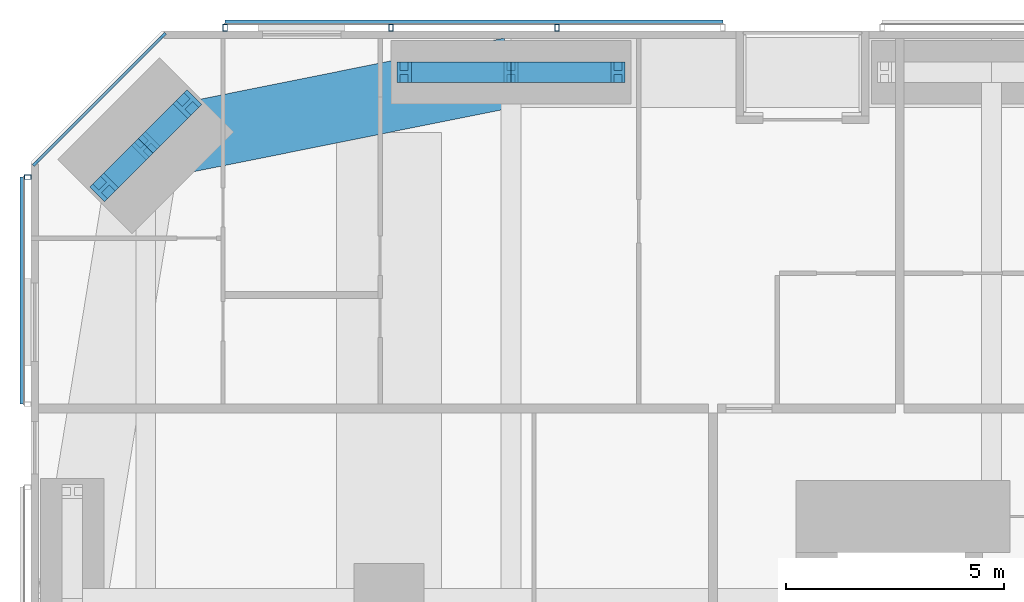
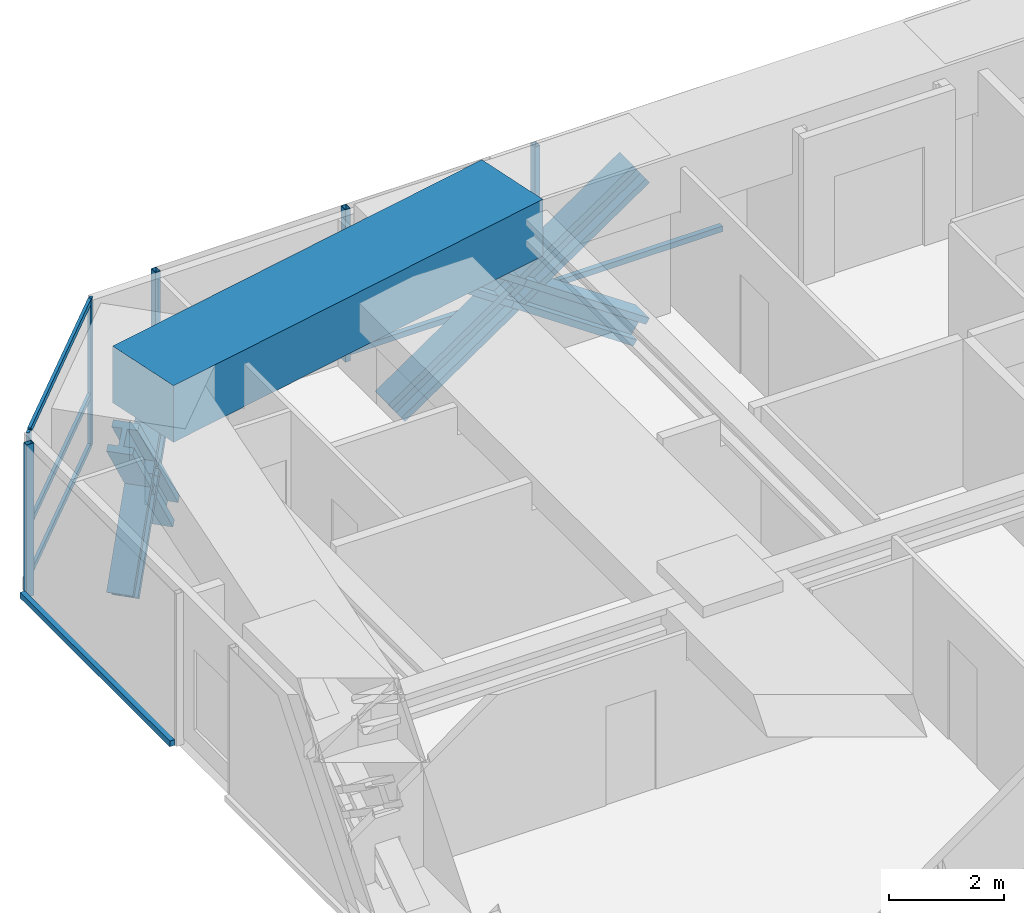
# One storey, part 12 of 24: 19 members, 1 beam, 3 elements without a shape of their own.
"""IFC4 building model written with IfcOpenShell, lengths in metres."""

from ifc_helpers import new_model, si_unit, direction, frame, origin, origin_2d, place, context, subcontext, project, spatial, rectangle, hollow_rectangle, i_section, extrude, material, material_profile, profile_set, type_object, element, aggregate, save


model = new_model("IFC4")

# Units and contexts
model_context = context("Model", 3, precision=1e-05, world=origin(), true_north=direction((0.0, 1.0)))
body_context = subcontext(model_context, "Body", "Model", "MODEL_VIEW")
ifc_project = project(units=[si_unit("LENGTHUNIT", "METRE"), si_unit("AREAUNIT", "SQUARE_METRE"), si_unit("VOLUMEUNIT", "CUBIC_METRE"), si_unit("PLANEANGLEUNIT", "RADIAN"), si_unit("MASSUNIT", "GRAM", prefix="KILO")], contexts=[model_context])

# Site, building, storey
site_placement = place(None, origin())
site = spatial("IfcSite", under=ifc_project, at=site_placement, CompositionType="ELEMENT")
building_placement = place(site_placement, origin())
building = spatial("IfcBuilding", under=site, at=building_placement, Name="Jalousie Tower", CompositionType="ELEMENT")
storey_placement = place(building_placement, frame((0.0, 0.0, 51.14990234375)))
storey = spatial("IfcBuildingStorey", under=building, at=storey_placement, Name="L13", CompositionType="ELEMENT", Elevation=51.14990234375)

# Curtain wall, members
ifc_material_1 = material(Name="Aluminium curtain wall", Category="aluminium")
curtain_wall_type_1 = type_object("IfcCurtainWallType", Name="CORNER WINDOW WALL", PredefinedType="USERDEFINED", material=ifc_material_1)
curtain_wall_1_placement = place(storey_placement, origin())
curtain_wall_1 = element("IfcCurtainWall", 1, at=curtain_wall_1_placement, inside=storey, type_object=curtain_wall_type_1, Name="Corner Window Wall L13 6", ObjectType="CORNER WINDOW WALL", PredefinedType="USERDEFINED")
ifc_material_2 = material(Name="Aluminium mullion", Category="aluminium")
ifc_material_profile_1 = material_profile(ifc_material_2, rectangle(XDim=0.06005859375, YDim=0.14990234375, at=origin_2d()), Name="MULLION 60x150")
ifc_profile_set_1 = profile_set([ifc_material_profile_1], Name="Aluminium mullion")
member_type_1 = type_object("IfcMemberType", Name="CORNER WINDOW WALL MULLION", PredefinedType="MULLION", material=ifc_profile_set_1)
member_1_placement = place(storey_placement, frame((5.030029296875, 37.891357421875, 0.0), z_axis=(0.0, 0.0, 1.0), x_axis=(0.707106781187, -0.707106781187, 0.0)))
member_1 = element("IfcMember", 2, at=member_1_placement, type_object=member_type_1, Name="CW-C mullion 1", PredefinedType="MULLION", context=body_context, shape_type="SweptSolid", body=[
    extrude(rectangle(XDim=0.06005859375, YDim=0.14990234375, at=origin_2d()), origin(), (0.0, 0.0, 1.0), 3.110107421875),
])
member_2_placement = place(storey_placement, frame((2.108642578125, 34.969970703125, 0.0), z_axis=(0.0, 0.0, 1.0), x_axis=(0.707106781187, -0.707106781187, 0.0)))
member_2 = element("IfcMember", 3, at=member_2_placement, type_object=member_type_1, Name="CW-C mullion 2", PredefinedType="MULLION", context=body_context, shape_type="SweptSolid", body=[
    extrude(rectangle(XDim=0.06005859375, YDim=0.14990234375, at=origin_2d()), origin(), (0.0, 0.0, 1.0), 3.110107421875),
])
ifc_material_3 = material(Name="Aluminium transom", Category="aluminium")
ifc_material_profile_2 = material_profile(ifc_material_3, rectangle(XDim=0.06005859375, YDim=0.1201171875, at=origin_2d()), Name="TRANSOM 60x120")
ifc_profile_set_2 = profile_set([ifc_material_profile_2], Name="Aluminium transom")
member_type_2 = type_object("IfcMemberType", Name="CORNER WINDOW WALL TRANSOM", PredefinedType="USERDEFINED", material=ifc_profile_set_2)
member_3_placement = place(storey_placement, frame((5.0087890625, 37.8701171875, 0.030029296875), z_axis=(-0.707106781187, -0.707106781187, 0.0), x_axis=(0.707106781187, -0.707106781187, 0.0)))
member_3 = element("IfcMember", 4, at=member_3_placement, type_object=member_type_2, Name="CW-C transom 1.1", ObjectType="TRANSOM", PredefinedType="USERDEFINED", context=body_context, shape_type="SweptSolid", body=[
    extrude(rectangle(XDim=0.06005859375, YDim=0.1201171875, at=origin_2d()), origin(), (0.0, 0.0, 1.0), 4.0712890625),
])
member_4_placement = place(storey_placement, frame((5.0087890625, 37.8701171875, 1.10009765625), z_axis=(-0.707106781187, -0.707106781187, 0.0), x_axis=(0.707106781187, -0.707106781187, 0.0)))
member_4 = element("IfcMember", 5, at=member_4_placement, type_object=member_type_2, Name="CW-C transom 1.2", ObjectType="TRANSOM", PredefinedType="USERDEFINED", context=body_context, shape_type="SweptSolid", body=[
    extrude(rectangle(XDim=0.06005859375, YDim=0.1201171875, at=origin_2d()), origin(), (0.0, 0.0, 1.0), 4.0712890625),
])
member_5_placement = place(storey_placement, frame((5.0087890625, 37.8701171875, 3.080078125), z_axis=(-0.707106781187, -0.707106781187, 0.0), x_axis=(0.707106781187, -0.707106781187, 0.0)))
member_5 = element("IfcMember", 6, at=member_5_placement, type_object=member_type_2, Name="CW-C transom 1.3", ObjectType="TRANSOM", PredefinedType="USERDEFINED", context=body_context, shape_type="SweptSolid", body=[
    extrude(rectangle(XDim=0.06005859375, YDim=0.1201171875, at=origin_2d()), origin(), (0.0, 0.0, 1.0), 4.0712890625),
])
aggregate(curtain_wall_1, [member_1, member_2, member_3, member_4, member_5])

# Members
ifc_material_4 = material(Name="Steel ASTM A992 Grade 50", Category="steel")
ifc_material_profile_3 = material_profile(ifc_material_4, i_section(OverallWidth=0.472412109375, OverallDepth=0.5791015625, WebThickness=0.094970703125, FlangeThickness=0.1298828125, at=origin_2d()), Name="W14X808")
ifc_profile_set_3 = profile_set([ifc_material_profile_3], Name="Steel ASTM A992 Grade 50")
member_type_3 = type_object("IfcMemberType", Name="PERIMETER BRACE W14X808", PredefinedType="BRACE", material=ifc_profile_set_3)
for number, where, z_axis, x_axis, name in (
    (7, (10.550048828125, 37.050048828125, -0.599853515625), (0.825500916831, 0.0, 0.564400776321), (0.0, 1.0, 0.0), "Perimeter brace 11 L13 part 1"),
    (8, (13.0, 37.050048828125, 1.0751953125), (0.825539243753, 0.0, 0.564344714713), (0.0, 1.0, 0.0), "Perimeter brace 11 L13 part 2"),
    (9, (15.449951171875, 37.050048828125, -0.599853515625), (-0.825500916831, 0.0, 0.564400776321), (0.0, -1.0, 0.0), "Perimeter brace 11 L13 part 3"),
    (10, (13.0, 37.050048828125, 1.0751953125), (-0.825539243753, 0.0, 0.564344714713), (0.0, -1.0, 0.0), "Perimeter brace 11 L13 part 4"),
):
    element("IfcMember", number, at=place(storey_placement, frame(where, z_axis=z_axis, x_axis=x_axis)), inside=storey, type_object=member_type_3, Name=name, PredefinedType="BRACE", context=body_context, shape_type="SweptSolid", body=[
        extrude(i_section(OverallWidth=0.472412109375, OverallDepth=0.5791015625, WebThickness=0.094970703125, FlangeThickness=0.1298828125, at=origin_2d()), origin(), (0.0, 0.0, 1.0), 2.9677734375),
    ])
member_6_placement = place(storey_placement, frame((5.5859375, 36.3232421875, -0.599853515625), z_axis=(-0.443718327034, -0.443718327034, 0.778606506849), x_axis=(0.707106781187, -0.707106781187, 0.0)))
element("IfcMember", 11, at=member_6_placement, inside=storey, type_object=member_type_3, Name="Perimeter brace 12 L13 part 1", PredefinedType="BRACE", context=body_context, shape_type="SweptSolid", body=[
    extrude(i_section(OverallWidth=0.472412109375, OverallDepth=0.5791015625, WebThickness=0.094970703125, FlangeThickness=0.1298828125, at=origin_2d()), origin(), (0.0, 0.0, 1.0), 2.1513671875),
])
member_7_placement = place(storey_placement, frame((4.63134765625, 35.36865234375, 1.0751953125), z_axis=(-0.443757535686, -0.443757535686, 0.778561814529), x_axis=(0.707106781187, -0.707106781187, 0.0)))
element("IfcMember", 12, at=member_7_placement, inside=storey, type_object=member_type_3, Name="Perimeter brace 12 L13 part 2", PredefinedType="BRACE", context=body_context, shape_type="SweptSolid", body=[
    extrude(i_section(OverallWidth=0.472412109375, OverallDepth=0.5791015625, WebThickness=0.094970703125, FlangeThickness=0.1298828125, at=origin_2d()), origin(), (0.0, 0.0, 1.0), 2.151123046875),
])
member_8_placement = place(storey_placement, frame((3.6767578125, 34.4140625, -0.599853515625), z_axis=(0.443718327034, 0.443718327034, 0.778606506849), x_axis=(-0.707106781187, 0.707106781187, 0.0)))
element("IfcMember", 13, at=member_8_placement, inside=storey, type_object=member_type_3, Name="Perimeter brace 12 L13 part 3", PredefinedType="BRACE", context=body_context, shape_type="SweptSolid", body=[
    extrude(i_section(OverallWidth=0.472412109375, OverallDepth=0.5791015625, WebThickness=0.094970703125, FlangeThickness=0.1298828125, at=origin_2d()), origin(), (0.0, 0.0, 1.0), 2.1513671875),
])
member_9_placement = place(storey_placement, frame((4.63134765625, 35.36865234375, 1.0751953125), z_axis=(0.443757535686, 0.443757535686, 0.778561814529), x_axis=(-0.707106781187, 0.707106781187, 0.0)))
element("IfcMember", 14, at=member_9_placement, inside=storey, type_object=member_type_3, Name="Perimeter brace 12 L13 part 4", PredefinedType="BRACE", context=body_context, shape_type="SweptSolid", body=[
    extrude(i_section(OverallWidth=0.472412109375, OverallDepth=0.5791015625, WebThickness=0.094970703125, FlangeThickness=0.1298828125, at=origin_2d()), origin(), (0.0, 0.0, 1.0), 2.151123046875),
])

# Beam
ifc_material_5 = material(Name="Concrete f'c 40 MPa", Category="concrete")
ifc_material_profile_4 = material_profile(ifc_material_5, rectangle(XDim=1.60009765625, YDim=1.199951171875, at=origin_2d()), Name="RC 1600x1200")
ifc_profile_set_4 = profile_set([ifc_material_profile_4], Name="Concrete f'c 40 MPa")
beam_type = type_object("IfcBeamType", Name="RC BEAM 1600x1200", PredefinedType="BEAM", material=ifc_profile_set_4)
beam_placement = place(storey_placement, frame((13.0, 37.050048828125, 2.75), z_axis=(-0.980407585444, -0.196979609107, 0.0), x_axis=(0.196979609107, -0.980407585444, 0.0)))
element("IfcBeam", 15, at=beam_placement, inside=storey, type_object=beam_type, Name="Edge band beam 11-12 under L14", PredefinedType="BEAM", context=body_context, shape_type="SweptSolid", body=[
    extrude(rectangle(XDim=1.60009765625, YDim=1.199951171875, at=origin_2d()), origin(), (0.0, 0.0, 1.0), 8.535888671875),
])

# Curtain wall, members
ifc_material_6 = material(Name="Perforated aluminium sheet", Category="aluminium")
curtain_wall_type_2 = type_object("IfcCurtainWallType", Name="SOLAR SCREEN SS-1", PredefinedType="USERDEFINED", material=ifc_material_6)
curtain_wall_2_placement = place(storey_placement, origin())
curtain_wall_2 = element("IfcCurtainWall", 16, at=curtain_wall_2_placement, inside=storey, type_object=curtain_wall_type_2, Name="Solar screen L13", ObjectType="SOLAR SCREEN SS-1", PredefinedType="USERDEFINED")
ifc_material_7 = material(Name="Steel ASTM A500 Grade C", Category="steel")
ifc_material_profile_5 = material_profile(ifc_material_7, hollow_rectangle(XDim=0.1015625, YDim=0.15234375, WallThickness=0.00634765625, at=origin_2d()), Name="HSS6X4X1/4")
ifc_profile_set_5 = profile_set([ifc_material_profile_5], Name="Steel ASTM A500 Grade C")
member_type_4 = type_object("IfcMemberType", Name="SOLAR SCREEN SS-1 MULLION", PredefinedType="MULLION", material=ifc_profile_set_5)
member_10_placement = place(storey_placement, frame((14.050048828125, 38.0712890625, -0.119873046875), z_axis=(0.0, 0.0, 1.0), x_axis=(-1.0, 0.0, 0.0)))
member_10 = element("IfcMember", 17, at=member_10_placement, type_object=member_type_4, Name="SS1 post 2", PredefinedType="MULLION", context=body_context, shape_type="SweptSolid", body=[
    extrude(hollow_rectangle(XDim=0.1015625, YDim=0.15234375, WallThickness=0.00634765625, at=origin_2d()), origin(), (0.0, 0.0, 1.0), 3.22998046875),
])
member_11_placement = place(storey_placement, frame((10.25, 38.0712890625, -0.119873046875), z_axis=(0.0, 0.0, 1.0), x_axis=(-1.0, 0.0, 0.0)))
member_11 = element("IfcMember", 18, at=member_11_placement, type_object=member_type_4, Name="SS1 post 3", PredefinedType="MULLION", context=body_context, shape_type="SweptSolid", body=[
    extrude(hollow_rectangle(XDim=0.1015625, YDim=0.15234375, WallThickness=0.00634765625, at=origin_2d()), origin(), (0.0, 0.0, 1.0), 3.22998046875),
])
member_12_placement = place(storey_placement, frame((6.449951171875, 38.0712890625, -0.119873046875), z_axis=(0.0, 0.0, 1.0), x_axis=(-1.0, 0.0, 0.0)))
member_12 = element("IfcMember", 19, at=member_12_placement, type_object=member_type_4, Name="SS1 post 4", PredefinedType="MULLION", context=body_context, shape_type="SweptSolid", body=[
    extrude(hollow_rectangle(XDim=0.1015625, YDim=0.15234375, WallThickness=0.00634765625, at=origin_2d()), origin(), (0.0, 0.0, 1.0), 3.22998046875),
])

# Curtain wall, member
curtain_wall_3_placement = place(storey_placement, origin())
curtain_wall_3 = element("IfcCurtainWall", 20, at=curtain_wall_3_placement, inside=storey, type_object=curtain_wall_type_2, Name="Solar screen L13", ObjectType="SOLAR SCREEN SS-1", PredefinedType="USERDEFINED")
member_13_placement = place(storey_placement, frame((1.9287109375, 34.648681640625, -0.119873046875), z_axis=(0.0, 0.0, 1.0), x_axis=(0.0, -1.0, 0.0)))
member_13 = element("IfcMember", 21, at=member_13_placement, type_object=member_type_4, Name="SS1 post 1", PredefinedType="MULLION", context=body_context, shape_type="SweptSolid", body=[
    extrude(hollow_rectangle(XDim=0.1015625, YDim=0.15234375, WallThickness=0.00634765625, at=origin_2d()), origin(), (0.0, 0.0, 1.0), 3.22998046875),
])

# Member
ifc_material_8 = material(Name="Extruded aluminium screen rail", Category="aluminium")
ifc_material_profile_6 = material_profile(ifc_material_8, rectangle(XDim=0.1015625, YDim=0.1201171875, at=origin_2d()), Name="RAIL 102x120")
ifc_profile_set_6 = profile_set([ifc_material_profile_6], Name="Extruded aluminium screen rail")
member_type_5 = type_object("IfcMemberType", Name="SOLAR SCREEN SS-1 TRANSOM", PredefinedType="USERDEFINED", material=ifc_profile_set_6)
member_14_placement = place(storey_placement, frame((17.85009765625, 38.1982421875, -0.059814453125), z_axis=(-1.0, 0.0, 0.0), x_axis=(0.0, -1.0, 0.0)))
member_14 = element("IfcMember", 22, at=member_14_placement, type_object=member_type_5, Name="SS1 rail", ObjectType="TRANSOM", PredefinedType="USERDEFINED", context=body_context, shape_type="SweptSolid", body=[
    extrude(rectangle(XDim=0.1015625, YDim=0.1201171875, at=origin_2d()), origin(), (0.0, 0.0, 1.0), 11.400146484375),
])

aggregate(curtain_wall_2, [member_10, member_11, member_12, member_14])

member_15_placement = place(storey_placement, frame((1.8017578125, 34.648681640625, -0.059814453125), z_axis=(0.0, -1.0, 0.0), x_axis=(1.0, 0.0, 0.0)))
member_15 = element("IfcMember", 23, at=member_15_placement, type_object=member_type_5, Name="SS1 rail", ObjectType="TRANSOM", PredefinedType="USERDEFINED", context=body_context, shape_type="SweptSolid", body=[
    extrude(rectangle(XDim=0.1015625, YDim=0.1201171875, at=origin_2d()), origin(), (0.0, 0.0, 1.0), 5.19873046875),
])

aggregate(curtain_wall_3, [member_13, member_15])

save(model, "model.ifc")
